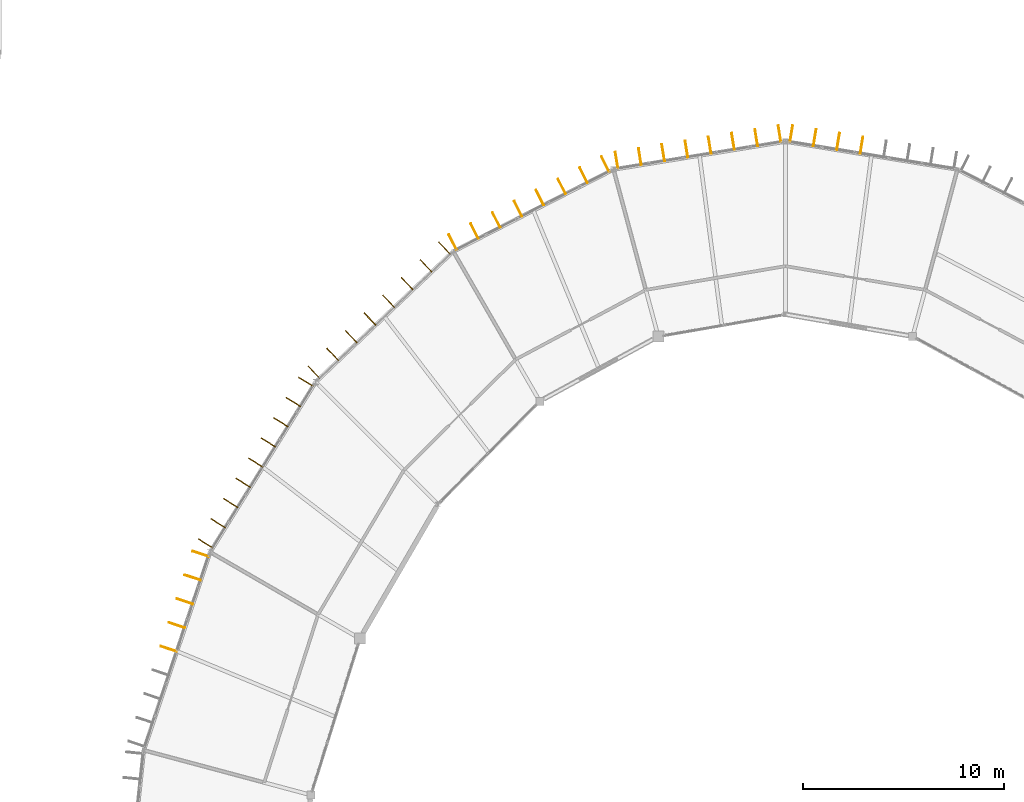
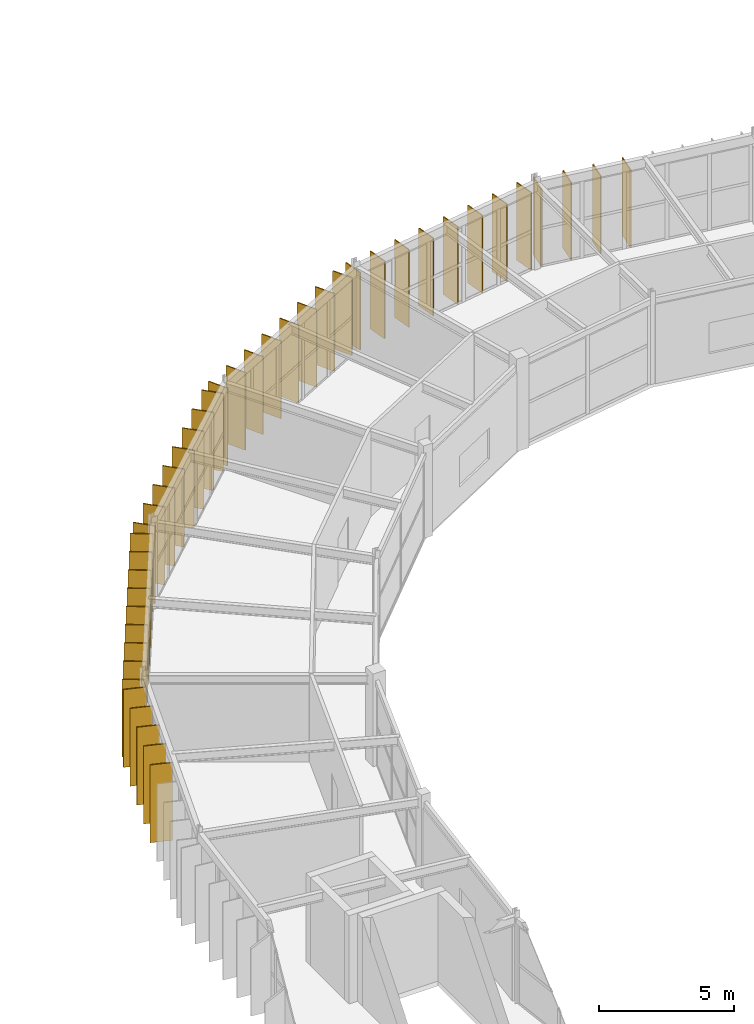
# One storey, part 103 of 106: 42 shading devices.
"""IFC4 building model written with IfcOpenShell, lengths in metres."""

from ifc_helpers import new_model, si_unit, direction, frame, origin, origin_2d, place, context, subcontext, project, spatial, rectangle, extrude, material, layer, layer_set, type_object, element, save


model = new_model("IFC4")

# Units and contexts
model_context = context("Model", 3, precision=1e-05, world=origin(), true_north=direction((0.0, 1.0)))
body_context = subcontext(model_context, "Body", "Model", "MODEL_VIEW")
ifc_project = project(units=[si_unit("LENGTHUNIT", "METRE"), si_unit("AREAUNIT", "SQUARE_METRE"), si_unit("VOLUMEUNIT", "CUBIC_METRE"), si_unit("PLANEANGLEUNIT", "RADIAN"), si_unit("MASSUNIT", "GRAM", prefix="KILO")], contexts=[model_context])

# Site, building, storey
site_placement = place(None, origin())
site = spatial("IfcSite", under=ifc_project, at=site_placement, CompositionType="ELEMENT")
building_placement = place(site_placement, origin())
building = spatial("IfcBuilding", under=site, at=building_placement, Name="Karori Crest Natural Sciences Institute", CompositionType="ELEMENT")
storey_placement = place(building_placement, frame((0.0, 0.0, 25.89990234375)))
storey = spatial("IfcBuildingStorey", under=building, at=storey_placement, Name="L06", CompositionType="ELEMENT", Elevation=25.89990234375)

# Shading devices
ifc_material = material(Name="Anodised architectural aluminium 6063-T6", Category="aluminium")
ifc_layer = layer(ifc_material, 0.044921875, Name="Anodised architectural aluminium 6063-T6")
ifc_layer_set = layer_set([ifc_layer], Name="Anodised architectural aluminium 6063-T6")
shading_device_type = type_object("IfcShadingDeviceType", Name="SDT-FIN", PredefinedType="USERDEFINED", material=ifc_layer_set)
for number, where, z_axis, x_axis, name in (
    (1, (66.690673828125, 91.068115234375, 0.000244140625), (0.0, 0.0, 1.0), (0.160654710652, 0.987010670634, 0.0), "Vertical solar fin FN-1131"),
    (2, (67.853759765625, 90.87890625, 0.000244140625), (0.0, 0.0, 1.0), (0.160654710652, 0.987010670634, 0.0), "Vertical solar fin FN-1132"),
    (3, (69.01708984375, 90.689453125, 0.000244140625), (0.0, 0.0, 1.0), (0.160654710652, 0.987010670634, 0.0), "Vertical solar fin FN-1133"),
    (4, (70.180419921875, 90.5, 0.000244140625), (0.0, 0.0, 1.0), (0.160654710652, 0.987010670634, 0.0), "Vertical solar fin FN-1134"),
    (5, (58.016845703125, 89.7509765625, 0.000244140625), (0.0, 0.0, 1.0), (-0.160649542674, 0.987011511807, 0.0), "Vertical solar fin FN-1139"),
    (6, (59.173095703125, 89.939208984375, 0.000244140625), (0.0, 0.0, 1.0), (-0.160649542674, 0.987011511807, 0.0), "Vertical solar fin FN-1140"),
    (7, (60.3291015625, 90.127197265625, 0.000244140625), (0.0, 0.0, 1.0), (-0.160649542674, 0.987011511807, 0.0), "Vertical solar fin FN-1141"),
    (8, (61.485107421875, 90.3154296875, 0.000244140625), (0.0, 0.0, 1.0), (-0.160649542674, 0.987011511807, 0.0), "Vertical solar fin FN-1142"),
    (9, (62.64111328125, 90.503662109375, 0.000244140625), (0.0, 0.0, 1.0), (-0.160649542674, 0.987011511807, 0.0), "Vertical solar fin FN-1143"),
    (10, (63.79736328125, 90.69189453125, 0.000244140625), (0.0, 0.0, 1.0), (-0.160649542674, 0.987011511807, 0.0), "Vertical solar fin FN-1144"),
    (11, (64.953369140625, 90.8798828125, 0.000244140625), (0.0, 0.0, 1.0), (-0.160649542674, 0.987011511807, 0.0), "Vertical solar fin FN-1145"),
    (12, (66.109375, 91.068115234375, 0.000244140625), (0.0, 0.0, 1.0), (-0.160649542674, 0.987011511807, 0.0), "Vertical solar fin FN-1146"),
    (13, (49.877197265625, 85.682861328125, 0.000244140625), (0.0, 0.0, 1.0), (-0.455829213737, 0.890067260326, 0.0), "Vertical solar fin FN-1147"),
    (14, (50.960205078125, 86.2373046875, 0.000244140625), (0.0, 0.0, 1.0), (-0.455829213737, 0.890067260326, 0.0), "Vertical solar fin FN-1148"),
    (15, (52.043212890625, 86.7919921875, 0.000244140625), (0.0, 0.0, 1.0), (-0.455829213737, 0.890067260326, 0.0), "Vertical solar fin FN-1149"),
    (16, (53.126220703125, 87.3466796875, 0.000244140625), (0.0, 0.0, 1.0), (-0.455829213737, 0.890067260326, 0.0), "Vertical solar fin FN-1150"),
    (17, (54.208984375, 87.901123046875, 0.000244140625), (0.0, 0.0, 1.0), (-0.455829213737, 0.890067260326, 0.0), "Vertical solar fin FN-1151"),
    (18, (55.2919921875, 88.455810546875, 0.000244140625), (0.0, 0.0, 1.0), (-0.455829213737, 0.890067260326, 0.0), "Vertical solar fin FN-1152"),
    (19, (56.375, 89.010498046875, 0.000244140625), (0.0, 0.0, 1.0), (-0.455829213737, 0.890067260326, 0.0), "Vertical solar fin FN-1153"),
    (20, (57.4580078125, 89.56494140625, 0.000244140625), (0.0, 0.0, 1.0), (-0.455829213737, 0.890067260326, 0.0), "Vertical solar fin FN-1154"),
    (21, (42.982421875, 79.236328125, 0.000244140625), (0.0, 0.0, 1.0), (-0.688250755242, 0.725472878824, 0.0), "Vertical solar fin FN-1155"),
    (22, (43.9091796875, 80.115478515625, 0.000244140625), (0.0, 0.0, 1.0), (-0.688250755242, 0.725472878824, 0.0), "Vertical solar fin FN-1156"),
    (23, (44.8359375, 80.99462890625, 0.000244140625), (0.0, 0.0, 1.0), (-0.688250755242, 0.725472878824, 0.0), "Vertical solar fin FN-1157"),
    (24, (45.7626953125, 81.873779296875, 0.000244140625), (0.0, 0.0, 1.0), (-0.688250755242, 0.725472878824, 0.0), "Vertical solar fin FN-1158"),
    (25, (46.689453125, 82.753173828125, 0.000244140625), (0.0, 0.0, 1.0), (-0.688250755242, 0.725472878824, 0.0), "Vertical solar fin FN-1159"),
    (26, (47.6162109375, 83.63232421875, 0.000244140625), (0.0, 0.0, 1.0), (-0.688250755242, 0.725472878824, 0.0), "Vertical solar fin FN-1160"),
    (27, (48.54296875, 84.51171875, 0.000244140625), (0.0, 0.0, 1.0), (-0.688250755242, 0.725472878824, 0.0), "Vertical solar fin FN-1161"),
    (28, (49.4697265625, 85.390869140625, 0.000244140625), (0.0, 0.0, 1.0), (-0.688250755242, 0.725472878824, 0.0), "Vertical solar fin FN-1162"),
    (29, (37.603515625, 70.7265625, 0.000244140625), (0.0, 0.0, 1.0), (-0.849664524961, 0.527323615081, 0.0), "Vertical solar fin FN-1163"),
    (30, (38.22607421875, 71.729736328125, 0.000244140625), (0.0, 0.0, 1.0), (-0.849664524961, 0.527323615081, 0.0), "Vertical solar fin FN-1164"),
    (31, (38.8486328125, 72.733154296875, 0.000244140625), (0.0, 0.0, 1.0), (-0.849664524961, 0.527323615081, 0.0), "Vertical solar fin FN-1165"),
    (32, (39.471435546875, 73.736328125, 0.000244140625), (0.0, 0.0, 1.0), (-0.849664524961, 0.527323615081, 0.0), "Vertical solar fin FN-1166"),
    (33, (40.093994140625, 74.73974609375, 0.000244140625), (0.0, 0.0, 1.0), (-0.849664524961, 0.527323615081, 0.0), "Vertical solar fin FN-1167"),
    (34, (40.716796875, 75.742919921875, 0.000244140625), (0.0, 0.0, 1.0), (-0.849664524961, 0.527323615081, 0.0), "Vertical solar fin FN-1168"),
    (35, (41.33935546875, 76.746337890625, 0.000244140625), (0.0, 0.0, 1.0), (-0.849664524961, 0.527323615081, 0.0), "Vertical solar fin FN-1169"),
    (36, (41.962158203125, 77.74951171875, 0.000244140625), (0.0, 0.0, 1.0), (-0.849664524961, 0.527323615081, 0.0), "Vertical solar fin FN-1170"),
    (37, (42.584716796875, 78.7529296875, 0.000244140625), (0.0, 0.0, 1.0), (-0.849664524961, 0.527323615081, 0.0), "Vertical solar fin FN-1171"),
    (38, (35.7763671875, 65.487060546875, 0.000244140625), (0.0, 0.0, 1.0), (-0.948197867933, 0.317680347595, 0.0), "Vertical solar fin FN-1176"),
    (39, (36.171875, 66.66796875, 0.000244140625), (0.0, 0.0, 1.0), (-0.948197867933, 0.317680347595, 0.0), "Vertical solar fin FN-1177"),
    (40, (36.567626953125, 67.8486328125, 0.000244140625), (0.0, 0.0, 1.0), (-0.948197867933, 0.317680347595, 0.0), "Vertical solar fin FN-1178"),
    (41, (36.963134765625, 69.029541015625, 0.000244140625), (0.0, 0.0, 1.0), (-0.948197867933, 0.317680347595, 0.0), "Vertical solar fin FN-1179"),
    (42, (37.35888671875, 70.210205078125, 0.000244140625), (0.0, 0.0, 1.0), (-0.948197867933, 0.317680347595, 0.0), "Vertical solar fin FN-1180"),
):
    element("IfcShadingDevice", number, at=place(storey_placement, frame(where, z_axis=z_axis, x_axis=x_axis)), inside=storey, type_object=shading_device_type, Name=name, ObjectType="SOLAR_FIN", PredefinedType="USERDEFINED", context=body_context, shape_type="SweptSolid", body=[
        extrude(rectangle(XDim=0.85009765625, YDim=0.044921875, at=origin_2d()), origin(), (0.0, 0.0, 1.0), 3.52490234375),
    ])

save(model, "model.ifc")
